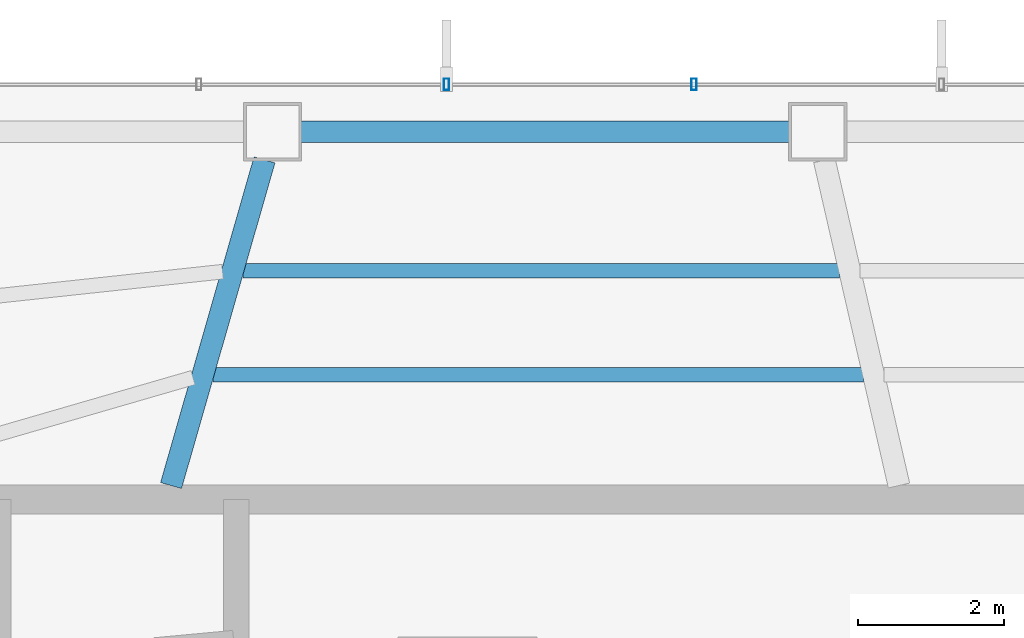
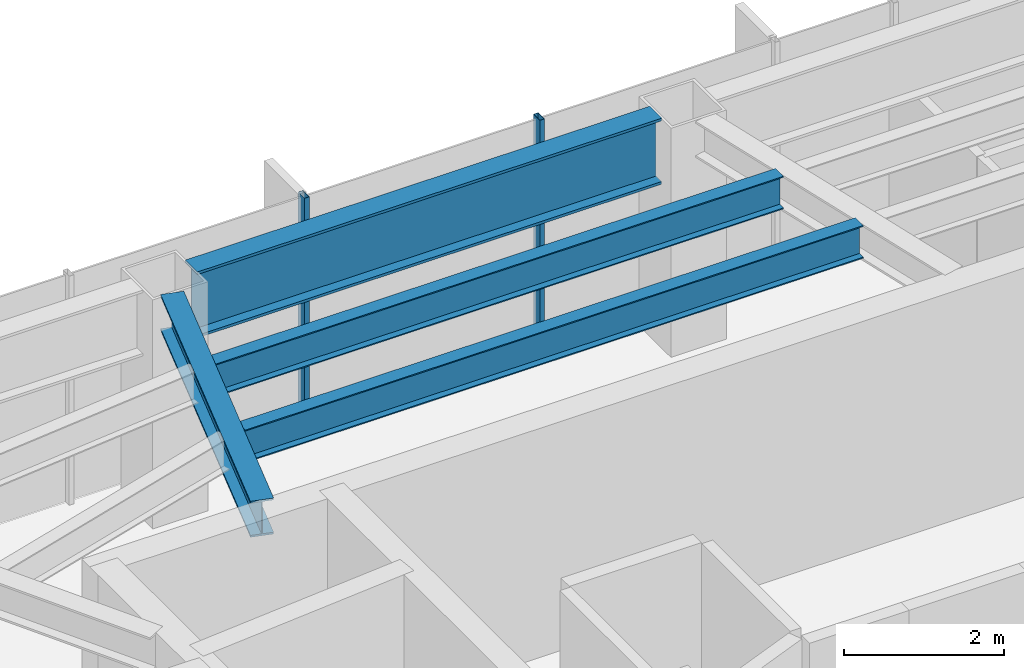
# One storey, part 14 of 29: 4 beams, 2 members, 1 element without a shape of its own.
"""IFC4 building model written with IfcOpenShell, lengths in metres."""

from ifc_helpers import new_model, si_unit, direction, frame, origin, origin_2d, place, context, subcontext, project, spatial, hollow_rectangle, i_section, extrude, material, layer, layer_set, material_profile, profile_set, type_object, element, aggregate, save


model = new_model("IFC4")

# Units and contexts
model_context = context("Model", 3, precision=1e-05, world=origin(), true_north=direction((0.0, 1.0)))
body_context = subcontext(model_context, "Body", "Model", "MODEL_VIEW")
ifc_project = project(units=[si_unit("LENGTHUNIT", "METRE"), si_unit("AREAUNIT", "SQUARE_METRE"), si_unit("VOLUMEUNIT", "CUBIC_METRE"), si_unit("PLANEANGLEUNIT", "RADIAN"), si_unit("MASSUNIT", "GRAM", prefix="KILO")], contexts=[model_context])

# Site, building, storey
site_placement = place(None, origin())
site = spatial("IfcSite", under=ifc_project, at=site_placement, CompositionType="ELEMENT")
building_placement = place(site_placement, origin())
building = spatial("IfcBuilding", under=site, at=building_placement, Name="Zarrinselat Tower", CompositionType="ELEMENT")
storey_placement = place(building_placement, frame((0.0, 0.0, 138.3798828125)))
storey = spatial("IfcBuildingStorey", under=building, at=storey_placement, Name="L33", CompositionType="ELEMENT", Elevation=138.3798828125)

# Beams
ifc_material_1 = material(Name="Steel S355J2", Category="steel")
ifc_material_profile_1 = material_profile(ifc_material_1, i_section(OverallWidth=0.300048828125, OverallDepth=0.550048828125, WebThickness=0.014892578125, FlangeThickness=0.029052734375, at=origin_2d()), Name="HEB 550")
ifc_profile_set_1 = profile_set([ifc_material_profile_1], Name="Steel S355J2")
beam_type_1 = type_object("IfcBeamType", Name="BM-HEB550", PredefinedType="BEAM", material=ifc_profile_set_1)
beam_1_placement = place(storey_placement, frame((31.0, 43.639892578125, 3.22509765625), z_axis=(0.275815605484, 0.961210565782, 0.0), x_axis=(-0.961210565782, 0.275815605484, 0.0)))
element("IfcBeam", 1, at=beam_1_placement, inside=storey, type_object=beam_type_1, Name="L33 Radial Primary Girder RG04", PredefinedType="BEAM", context=body_context, shape_type="SweptSolid", body=[
    extrude(i_section(OverallWidth=0.300048828125, OverallDepth=0.550048828125, WebThickness=0.014892578125, FlangeThickness=0.029052734375, at=origin_2d()), origin(), (0.0, 0.0, 1.0), 4.654052734375),
])
ifc_material_2 = material(Name="Steel S460M", Category="steel")
ifc_material_profile_2 = material_profile(ifc_material_2, i_section(OverallWidth=0.302001953125, OverallDepth=1.008056640625, WebThickness=0.02099609375, FlangeThickness=0.0400390625, at=origin_2d()), Name="HEM 1000")
ifc_profile_set_2 = profile_set([ifc_material_profile_2], Name="Steel S460M")
beam_type_2 = type_object("IfcBeamType", Name="BM-HEM1000", PredefinedType="BEAM", material=ifc_profile_set_2)
beam_2_placement = place(storey_placement, frame((32.782470703125, 48.5, 2.99609375), z_axis=(1.0, 0.0, 0.0), x_axis=(0.0, 1.0, 0.0)))
element("IfcBeam", 2, at=beam_2_placement, inside=storey, type_object=beam_type_2, Name="L33 Perimeter Spandrel Girder SP03", PredefinedType="BEAM", context=body_context, shape_type="SweptSolid", body=[
    extrude(i_section(OverallWidth=0.302001953125, OverallDepth=1.008056640625, WebThickness=0.02099609375, FlangeThickness=0.0400390625, at=origin_2d()), origin(), (0.0, 0.0, 1.0), 6.714111328125),
])
ifc_material_3 = material(Name="Steel S355J2", Category="steel")
ifc_material_profile_3 = material_profile(ifc_material_3, i_section(OverallWidth=0.199951171875, OverallDepth=0.5, WebThickness=0.01025390625, FlangeThickness=0.01611328125, at=origin_2d()), Name="IPE 500")
ifc_profile_set_3 = profile_set([ifc_material_profile_3], Name="Steel S355J2")
beam_type_3 = type_object("IfcBeamType", Name="BM-IPE500", PredefinedType="JOIST", material=ifc_profile_set_3)
beam_3_placement = place(storey_placement, frame((31.9873046875, 46.592529296875, 3.25), z_axis=(0.999999913039, -0.000417038987, 0.0), x_axis=(0.000417038987, 0.999999913039, 0.0)))
element("IfcBeam", 3, at=beam_3_placement, inside=storey, type_object=beam_type_3, Name="L33 Composite Floor Joist 8-1", PredefinedType="JOIST", context=body_context, shape_type="SweptSolid", body=[
    extrude(i_section(OverallWidth=0.199951171875, OverallDepth=0.5, WebThickness=0.01025390625, FlangeThickness=0.01611328125, at=origin_2d()), origin(), (0.0, 0.0, 1.0), 8.19580078125),
])
beam_4_placement = place(storey_placement, frame((31.576416015625, 45.160888671875, 3.25), z_axis=(0.999999981708, -0.000191267279, 0.0), x_axis=(0.000191267279, 0.999999981708, 0.0)))
element("IfcBeam", 4, at=beam_4_placement, inside=storey, type_object=beam_type_3, Name="L33 Composite Floor Joist 8-2", PredefinedType="JOIST", context=body_context, shape_type="SweptSolid", body=[
    extrude(i_section(OverallWidth=0.199951171875, OverallDepth=0.5, WebThickness=0.01025390625, FlangeThickness=0.01611328125, at=origin_2d()), origin(), (0.0, 0.0, 1.0), 8.93505859375),
])

# Curtain wall, members
ifc_material_4 = material(Name="Extruded Aluminium Alloy EN AW-6063 T6", Category="aluminium")
ifc_layer = layer(ifc_material_4, 0.175048828125)
ifc_layer_set = layer_set([ifc_layer], Name="Extruded Aluminium Alloy EN AW-6063 T6")
curtain_wall_type = type_object("IfcCurtainWallType", Name="CWS-HTL", PredefinedType="NOTDEFINED", material=ifc_layer_set)
curtain_wall_placement = place(storey_placement, origin())
curtain_wall = element("IfcCurtainWall", 5, at=curtain_wall_placement, inside=storey, type_object=curtain_wall_type, Name="L33 Unitised Curtain Wall CW-L33-E01", PredefinedType="NOTDEFINED")
ifc_material_5 = material(Name="Extruded Aluminium Alloy EN AW-6063 T6", Category="aluminium")
ifc_material_profile_4 = material_profile(ifc_material_5, hollow_rectangle(XDim=0.070068359375, YDim=0.159912109375, WallThickness=0.00390625, at=origin_2d()), Name="RHS 160x70x4")
ifc_profile_set_4 = profile_set([ifc_material_profile_4], Name="Extruded Aluminium Alloy EN AW-6063 T6")
member_type = type_object("IfcMemberType", Name="MEM-CW-MUL2", PredefinedType="MULLION", material=ifc_profile_set_4)
member_1_placement = place(storey_placement, frame((38.184326171875, 49.14990234375, 0.0), z_axis=(0.0, 0.0, 1.0), x_axis=(-1.0, 0.0, 0.0)))
member_1 = element("IfcMember", 6, at=member_1_placement, type_object=member_type, Name="CW-L33-E01 Mullion 6", PredefinedType="MULLION", context=body_context, shape_type="SweptSolid", body=[
    extrude(hollow_rectangle(XDim=0.070068359375, YDim=0.159912109375, WallThickness=0.00390625, at=origin_2d()), origin(), (0.0, 0.0, 1.0), 3.5),
])
member_2_placement = place(storey_placement, frame((34.78369140625, 49.14990234375, 0.0), z_axis=(0.0, 0.0, 1.0), x_axis=(-1.0, 0.0, 0.0)))
member_2 = element("IfcMember", 7, at=member_2_placement, type_object=member_type, Name="CW-L33-E01 Mullion 7", PredefinedType="MULLION", context=body_context, shape_type="SweptSolid", body=[
    extrude(hollow_rectangle(XDim=0.070068359375, YDim=0.159912109375, WallThickness=0.00390625, at=origin_2d()), origin(), (0.0, 0.0, 1.0), 3.5),
])
aggregate(curtain_wall, [member_1, member_2])

save(model, "model.ifc")
